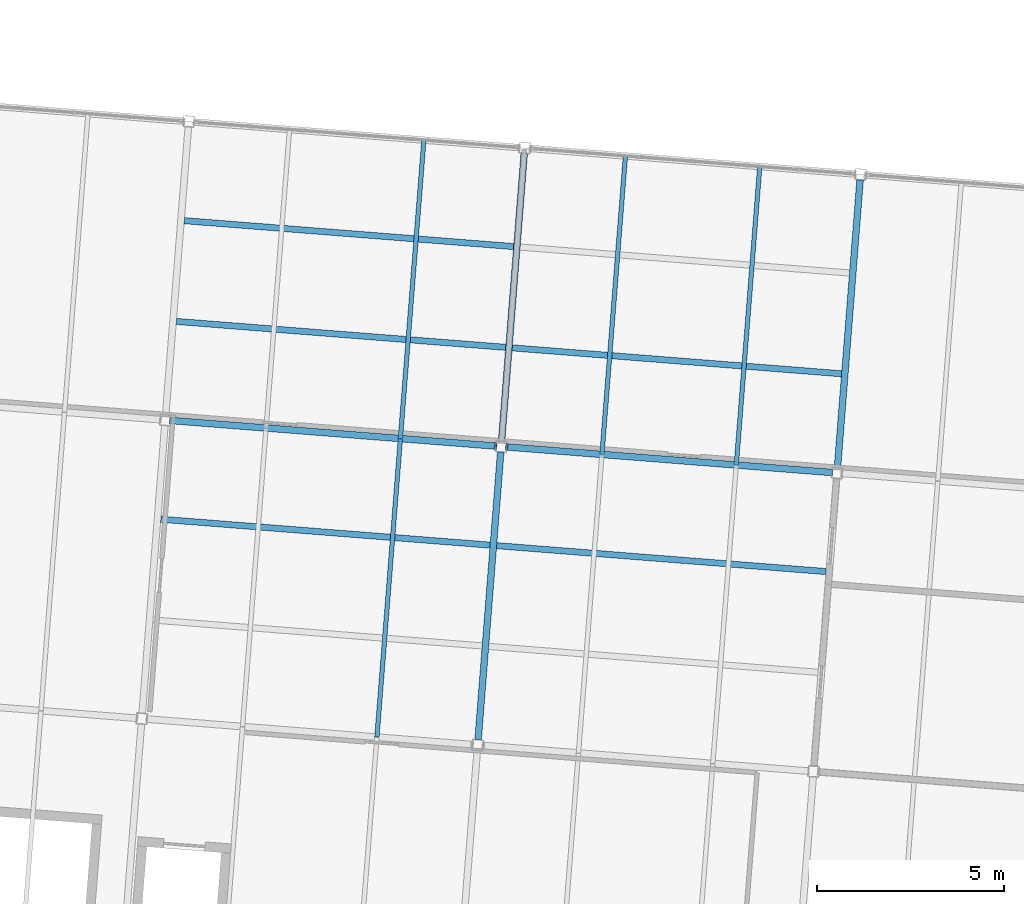
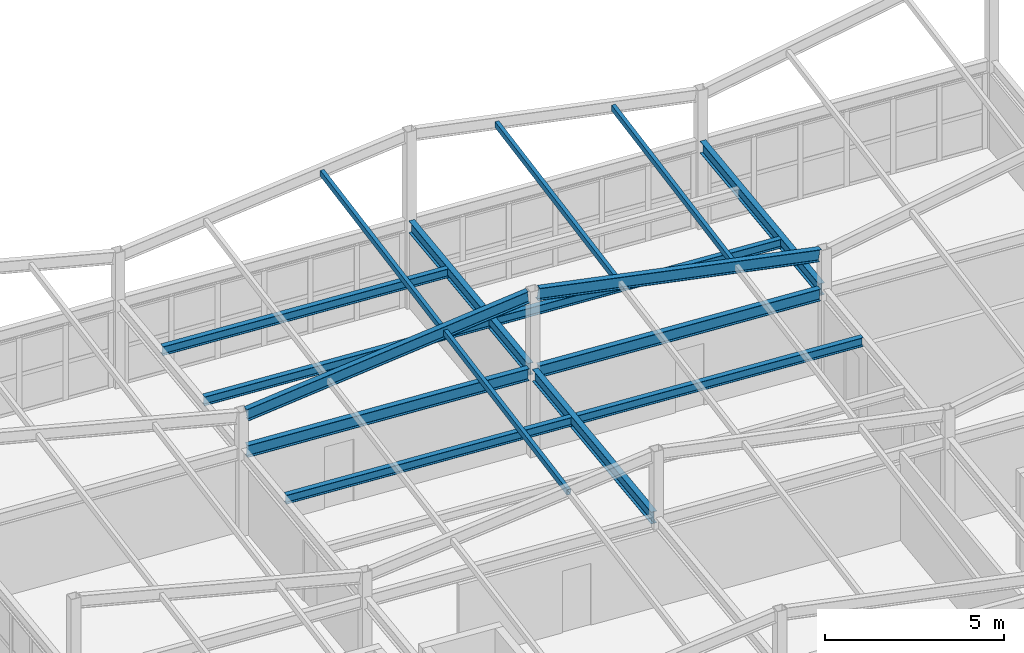
# One storey, part 49 of 127: 12 beams, 4 members.
"""IFC4 building model written with IfcOpenShell, lengths in metres."""

from ifc_helpers import new_model, si_unit, direction, frame, origin, origin_2d, place, context, subcontext, project, spatial, hollow_rectangle, i_section, extrude, material, material_profile, profile_set, type_object, element, save


model = new_model("IFC4")

# Units and contexts
model_context = context("Model", 3, precision=1e-05, world=origin(), true_north=direction((0.0, 1.0)))
body_context = subcontext(model_context, "Body", "Model", "MODEL_VIEW")
ifc_project = project(units=[si_unit("LENGTHUNIT", "METRE"), si_unit("AREAUNIT", "SQUARE_METRE"), si_unit("VOLUMEUNIT", "CUBIC_METRE"), si_unit("PLANEANGLEUNIT", "RADIAN"), si_unit("MASSUNIT", "GRAM", prefix="KILO")], contexts=[model_context])

# Site, building, storey
site_placement = place(None, origin())
site = spatial("IfcSite", under=ifc_project, at=site_placement, CompositionType="ELEMENT")
building_placement = place(site_placement, origin())
building = spatial("IfcBuilding", under=site, at=building_placement, Name="Kestramere Prow Commons", CompositionType="ELEMENT")
storey_placement = place(building_placement, frame((0.0, 0.0, 8.39990234375)))
storey = spatial("IfcBuildingStorey", under=building, at=storey_placement, Name="L02", CompositionType="ELEMENT", Elevation=8.39990234375)

# Beams
ifc_material = material(Name="Steel S355JR", Category="steel")
ifc_material_profile_1 = material_profile(ifc_material, i_section(OverallWidth=0.177978515625, OverallDepth=0.406494140625, WebThickness=0.0078125, FlangeThickness=0.0126953125, FilletRadius=0.01025390625, at=origin_2d()), Name="UB 406x178x60")
ifc_profile_set_1 = profile_set([ifc_material_profile_1], Name="Steel S355JR")
beam_type_1 = type_object("IfcBeamType", Name="BM-NR-01 UB 406x178x60", PredefinedType="BEAM", material=ifc_profile_set_1)
beam_1_placement = place(storey_placement, frame((78.97705078125, 100.732666015625, 2.796875), z_axis=(0.996919433544, -0.078432410537, 0.0), x_axis=(0.078432410537, 0.996919433544, 0.0)))
element("IfcBeam", 1, at=beam_1_placement, inside=storey, type_object=beam_type_1, Name="Nursery L02 Beam U 3-2", PredefinedType="BEAM", context=body_context, shape_type="SweptSolid", body=[
    extrude(i_section(OverallWidth=0.177978515625, OverallDepth=0.406494140625, WebThickness=0.0078125, FlangeThickness=0.0126953125, FilletRadius=0.01025390625, at=origin_2d()), origin(), (0.0, 0.0, 1.0), 8.7001953125),
])
beam_2_placement = place(storey_placement, frame((87.949462890625, 100.026611328125, 2.796875), z_axis=(0.996917066238, -0.078462494502, 0.0), x_axis=(0.078462494502, 0.996917066238, 0.0)))
element("IfcBeam", 2, at=beam_2_placement, inside=storey, type_object=beam_type_1, Name="Nursery L02 Beam U 3-3", PredefinedType="BEAM", context=body_context, shape_type="SweptSolid", body=[
    extrude(i_section(OverallWidth=0.177978515625, OverallDepth=0.406494140625, WebThickness=0.0078125, FlangeThickness=0.0126953125, FilletRadius=0.01025390625, at=origin_2d()), origin(), (0.0, 0.0, 1.0), 8.699951171875),
])
for number, where, z_axis, x_axis, name in (
    (3, (87.183837890625, 92.212646484375, 2.796875), (0.078473620365, 0.996916190513, 0.0), (-0.996916190513, 0.078473620365, 0.0), "Nursery L02 Beam V 3-2"),
    (4, (87.8115234375, 100.18798828125, 2.796875), (0.078473620365, 0.996916190513, 0.0), (-0.996916190513, 0.078473620365, 0.0), "Nursery L02 Beam V 3-3"),
    (5, (96.783935546875, 99.48193359375, 2.796875), (0.078442108986, 0.996918670473, 0.0), (-0.996918670473, 0.078442108986, 0.0), "Nursery L02 Beam V 4-3"),
):
    element("IfcBeam", number, at=place(storey_placement, frame(where, z_axis=z_axis, x_axis=x_axis)), inside=storey, type_object=beam_type_1, Name=name, PredefinedType="BEAM", context=body_context, shape_type="SweptSolid", body=[
        extrude(i_section(OverallWidth=0.177978515625, OverallDepth=0.406494140625, WebThickness=0.0078125, FlangeThickness=0.0126953125, FilletRadius=0.01025390625, at=origin_2d()), origin(), (0.0, 0.0, 1.0), 7.699951171875),
    ])
beam_3_placement = place(storey_placement, frame((78.97705078125, 100.732666015625, 4.033447265625), z_axis=(0.98425496794, -0.077436036576, 0.158889327285), x_axis=(0.078432410537, 0.996919433544, 0.0)))
element("IfcBeam", 6, at=beam_3_placement, inside=storey, type_object=beam_type_1, Name="Nursery Butterfly Rafter 3-2", PredefinedType="BEAM", context=body_context, shape_type="SweptSolid", body=[
    extrude(i_section(OverallWidth=0.177978515625, OverallDepth=0.406494140625, WebThickness=0.0078125, FlangeThickness=0.0126953125, FilletRadius=0.01025390625, at=origin_2d()), origin(), (0.0, 0.0, 1.0), 8.81201171875),
])
beam_4_placement = place(storey_placement, frame((87.949462890625, 100.026611328125, 5.43359375), z_axis=(0.985969484582, -0.077600863586, -0.147791344276), x_axis=(0.078462494502, 0.996917066238, 0.0)))
element("IfcBeam", 7, at=beam_4_placement, inside=storey, type_object=beam_type_1, Name="Nursery Butterfly Rafter 3-3", PredefinedType="BEAM", context=body_context, shape_type="SweptSolid", body=[
    extrude(i_section(OverallWidth=0.177978515625, OverallDepth=0.406494140625, WebThickness=0.0078125, FlangeThickness=0.0126953125, FilletRadius=0.01025390625, at=origin_2d()), origin(), (0.0, 0.0, 1.0), 8.796630859375),
])
ifc_material_profile_2 = material_profile(ifc_material, i_section(OverallWidth=0.1650390625, OverallDepth=0.303466796875, WebThickness=0.006103515625, FlangeThickness=0.01025390625, FilletRadius=0.0087890625, at=origin_2d()), Name="UB 305x165x40")
ifc_profile_set_2 = profile_set([ifc_material_profile_2], Name="Steel S355JR")
beam_type_2 = type_object("IfcBeamType", Name="JST-NR-01 UB 305x165x40", PredefinedType="JOIST", material=ifc_profile_set_2)
for number, where, z_axis, x_axis, name in (
    (8, (78.708251953125, 98.095703125, 2.848388671875), (0.996917659029, -0.07845496234, 0.0), (0.07845496234, 0.996917659029, 0.0), "Nursery L02 Secondary Joist 2-2"),
    (9, (79.124267578125, 103.37939453125, 2.848388671875), (0.996917659029, -0.07845496234, 0.0), (0.07845496234, 0.996917659029, 0.0), "Nursery L02 Secondary Joist 2-3"),
    (10, (79.3359375, 106.071044921875, 2.848388671875), (0.996917659029, -0.07845496234, 0.0), (0.07845496234, 0.996917659029, 0.0), "Nursery L02 Secondary Joist 2-3"),
    (11, (87.6806640625, 97.3896484375, 2.848388671875), (0.996917659029, -0.07845496234, 0.0), (0.07845496234, 0.996917659029, 0.0), "Nursery L02 Secondary Joist 3-2"),
    (12, (88.096435546875, 102.67333984375, 2.848388671875), (0.996917659029, -0.07845496234, 0.0), (0.07845496234, 0.996917659029, 0.0), "Nursery L02 Secondary Joist 3-3"),
):
    element("IfcBeam", number, at=place(storey_placement, frame(where, z_axis=z_axis, x_axis=x_axis)), inside=storey, type_object=beam_type_2, Name=name, PredefinedType="JOIST", context=body_context, shape_type="SweptSolid", body=[
        extrude(i_section(OverallWidth=0.1650390625, OverallDepth=0.303466796875, WebThickness=0.006103515625, FlangeThickness=0.01025390625, FilletRadius=0.0087890625, at=origin_2d()), origin(), (0.0, 0.0, 1.0), 8.822021484375),
    ])

# Members
ifc_material_profile_3 = material_profile(ifc_material, hollow_rectangle(XDim=0.1201171875, YDim=0.199951171875, WallThickness=0.008056640625, at=origin_2d()), Name="RHS 200x120x8")
ifc_profile_set_3 = profile_set([ifc_material_profile_3], Name="Steel S355JR")
member_type = type_object("IfcMemberType", Name="PUR-NR-01 RHS 200x120x8", PredefinedType="PURLIN", material=ifc_profile_set_3)
for number, where, z_axis, x_axis, name in (
    (13, (84.481201171875, 92.282958984375, 4.570556640625), (0.078376632124, 0.995774194807, 0.047862892649), (-0.996916746138, 0.078466561473, 0.0), "Nursery Roof Purlin 2-2-7"),
    (14, (85.10888671875, 100.25830078125, 4.953857421875), (0.078346275362, 0.995776578193, 0.047863007209), (-0.996919137737, 0.078436170311, 0.0), "Nursery Roof Purlin 2-3-7"),
):
    element("IfcMember", number, at=place(storey_placement, frame(where, z_axis=z_axis, x_axis=x_axis)), inside=storey, type_object=member_type, Name=name, PredefinedType="PURLIN", context=body_context, shape_type="SweptSolid", body=[
        extrude(hollow_rectangle(XDim=0.1201171875, YDim=0.199951171875, WallThickness=0.008056640625, at=origin_2d()), origin(), (0.0, 0.0, 1.0), 7.992919921875),
    ])
for number, where, z_axis, x_axis, name in (
    (15, (90.4921875, 99.83447265625, 4.98388671875), (0.078374248355, 0.995774452398, 0.047861436934), (-0.996916934406, 0.078464169489, 0.0), "Nursery Roof Purlin 3-3-3"),
    (16, (94.0810546875, 99.552001953125, 4.4638671875), (0.078374248355, 0.995774452398, 0.047861436934), (-0.996916934406, 0.078464169489, 0.0), "Nursery Roof Purlin 3-3-7"),
):
    element("IfcMember", number, at=place(storey_placement, frame(where, z_axis=z_axis, x_axis=x_axis)), inside=storey, type_object=member_type, Name=name, PredefinedType="PURLIN", context=body_context, shape_type="SweptSolid", body=[
        extrude(hollow_rectangle(XDim=0.1201171875, YDim=0.199951171875, WallThickness=0.008056640625, at=origin_2d()), origin(), (0.0, 0.0, 1.0), 7.9931640625),
    ])

save(model, "model.ifc")
